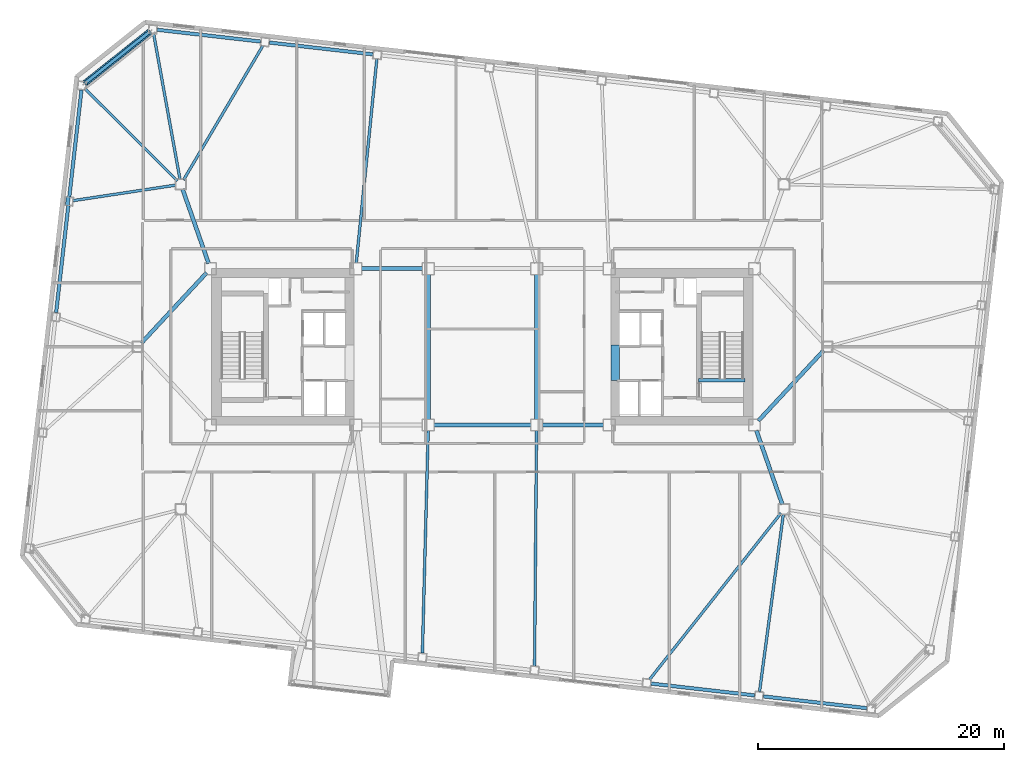
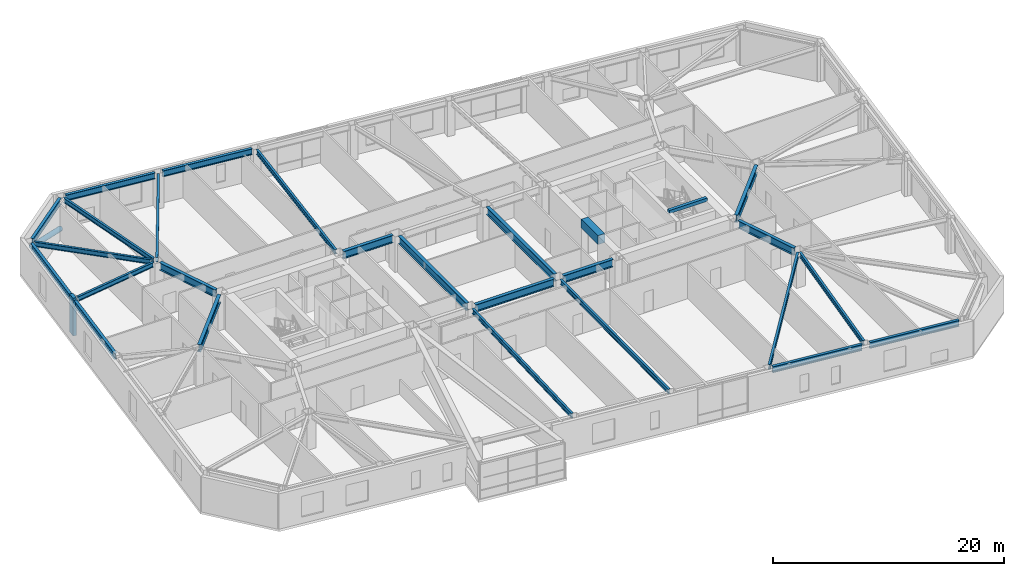
# One storey, part 6 of 22: 27 beams, 2 members.
"""IFC4 building model written with IfcOpenShell, lengths in metres."""

import ifcopenshell
import ifcopenshell.guid

model = None  # the IFC model being written
_history = None  # IfcOwnerHistory: only IFC2X3 demands one
_inside = {}  # id of a spatial element -> (the spatial element, [elements in it])
_under = {}  # id of a project, library or spatial element -> (it, [spatial elements below it])
_declared = {}  # id of a project -> (the project, [libraries it declares])
_typed = {}  # id of a type object -> (the type object, [elements of that type])
_made_of = {}  # id of a material, layer set ... -> (it, [elements and type objects made of it])


def new_model(schema):
    """Start an empty IFC model of exactly this schema.

    Asked for "IFC4X3", IfcOpenShell would pick the latest addendum, in which some entities
    have other attributes; the version numbers below select the first issue.
    IFC2X3 requires an IfcOwnerHistory on every rooted entity: one is made here for all.
    """
    global model, _history
    if schema == "IFC4X3":
        model = ifcopenshell.file(schema_version=(4, 3, 0, 0))
    else:
        model = ifcopenshell.file(schema=schema)
    _inside.clear()
    _under.clear()
    _declared.clear()
    _typed.clear()
    _made_of.clear()
    _history = None
    if model.schema == "IFC2X3":
        org = make("IfcOrganization", Name="unknown")
        user = make(
            "IfcPersonAndOrganization",
            ThePerson=make("IfcPerson", FamilyName="unknown"),
            TheOrganization=org,
        )
        app = make(
            "IfcApplication",
            ApplicationDeveloper=org,
            Version="unknown",
            ApplicationFullName="unknown",
            ApplicationIdentifier="unknown",
        )
        _history = make(
            "IfcOwnerHistory",
            OwningUser=user,
            OwningApplication=app,
            ChangeAction="ADDED",
            CreationDate=0,
        )
    return model


def make(cls, **values):
    """One entity of the class cls with the attributes given. An attribute that is None is left unset."""
    return model.create_entity(
        cls, **{name: value for name, value in values.items() if value is not None}
    )


def rooted(cls, **values):
    """An entity with a GlobalId (a new one), such as an element, a storey or a relation."""
    return make(cls, GlobalId=ifcopenshell.guid.new(), OwnerHistory=_history, **values)


def si_unit(unit_type, name, prefix=None):
    """IfcSIUnit, for example si_unit("LENGTHUNIT", "METRE", prefix="MILLI")."""
    return make("IfcSIUnit", UnitType=unit_type, Prefix=prefix, Name=name)


def assignment(units):
    """IfcUnitAssignment: the units of a project."""
    return None if units is None else make("IfcUnitAssignment", Units=units)


def point(xyz):
    """IfcCartesianPoint."""
    return None if xyz is None else make("IfcCartesianPoint", Coordinates=xyz)


def direction(xyz):
    """IfcDirection."""
    return None if xyz is None else make("IfcDirection", DirectionRatios=xyz)


def frame(location, z_axis=None, x_axis=None):
    """IfcAxis2Placement3D, a coordinate frame: its origin and axes. An axis left out is left unset."""
    return make(
        "IfcAxis2Placement3D",
        Location=point(location),
        Axis=direction(z_axis),
        RefDirection=direction(x_axis),
    )


def frame_2d(location, x_axis=None):
    """IfcAxis2Placement2D, a coordinate frame in the plane: its origin and x axis."""
    return make(
        "IfcAxis2Placement2D", Location=point(location), RefDirection=direction(x_axis)
    )


def origin():
    """The frame at (0, 0, 0) with its axes left unset."""
    return frame((0.0, 0.0, 0.0))


def origin_2d():
    """The frame at (0, 0) in the plane with its x axis left unset."""
    return frame_2d((0.0, 0.0))


def place(relative_to, where):
    """IfcLocalPlacement: puts the frame where relative to a parent placement (None: the world)."""
    return make(
        "IfcLocalPlacement", PlacementRelTo=relative_to, RelativePlacement=where
    )


def context(
    kind, dimensions, precision=None, world=None, true_north=None, identifier=None
):
    """IfcGeometricRepresentationContext, for example the 3D "Model" context."""
    return make(
        "IfcGeometricRepresentationContext",
        ContextIdentifier=identifier,
        ContextType=kind,
        CoordinateSpaceDimension=dimensions,
        Precision=precision,
        WorldCoordinateSystem=world,
        TrueNorth=true_north,
    )


def subcontext(parent, identifier, kind, view, scale=None):
    """IfcGeometricRepresentationSubContext, for example "Body" below "Model"."""
    return make(
        "IfcGeometricRepresentationSubContext",
        ContextIdentifier=identifier,
        ContextType=kind,
        ParentContext=parent,
        TargetScale=scale,
        TargetView=view,
    )


def project(units=None, contexts=None):
    """IfcProject with its units and contexts."""
    return rooted(
        "IfcProject",
        Name="project",
        RepresentationContexts=contexts,
        UnitsInContext=assignment(units),
    )


def spatial(cls, under=None, at=None, **own):
    """A site, building, storey or space (cls), placed at a placement, below another one or the project."""
    s = rooted(cls, ObjectPlacement=at, **own)
    if under is not None:
        _under.setdefault(under.id(), (under, []))[1].append(s)
    return s


def profile(cls, at=None, kind="AREA", **sizes):
    """A parametric profile (cls). Its sizes go by their IFC names, for example OverallWidth=200.0."""
    return make(cls, ProfileType=kind, Position=at, **sizes)


def rectangle(**sizes):
    """IfcRectangleProfileDef."""
    return profile("IfcRectangleProfileDef", **sizes)


def hollow_circle(**sizes):
    """IfcCircleHollowProfileDef."""
    return profile("IfcCircleHollowProfileDef", **sizes)


def i_section(**sizes):
    """IfcIShapeProfileDef."""
    return profile("IfcIShapeProfileDef", **sizes)


def extrude(swept, where, along, depth):
    """IfcExtrudedAreaSolid: the profile swept, set in the frame where, extruded along a direction by depth."""
    return make(
        "IfcExtrudedAreaSolid",
        SweptArea=swept,
        Position=where,
        ExtrudedDirection=direction(along),
        Depth=depth,
    )


def shape(context_of_items, identifier, shape_type, items):
    """IfcShapeRepresentation: the items that make up one representation, for example the "Body"."""
    return make(
        "IfcShapeRepresentation",
        ContextOfItems=context_of_items,
        RepresentationIdentifier=identifier,
        RepresentationType=shape_type,
        Items=items,
    )


def material(Name=None, Category=None):
    """IfcMaterial."""
    return make("IfcMaterial", Name=Name, Category=Category)


def material_profile(
    of_material, cross_section, Name=None, Category=None, Priority=None
):
    """IfcMaterialProfile: a cross section and its material."""
    return make(
        "IfcMaterialProfile",
        Name=Name,
        Material=of_material,
        Profile=cross_section,
        Priority=Priority,
        Category=Category,
    )


def profile_set(profiles, Name=None, composite=None):
    """IfcMaterialProfileSet."""
    return make(
        "IfcMaterialProfileSet",
        Name=Name,
        MaterialProfiles=profiles,
        CompositeProfile=composite,
    )


def made_of(thing, what):
    """Note that an element or type object is made of a material, layer set ...; save() writes the relation."""
    if what is not None:
        _made_of.setdefault(what.id(), (what, []))[1].append(thing)
    return thing


def type_object(cls, material=None, **own):
    """A type object (cls), such as IfcWallType, which elements share."""
    return made_of(rooted(cls, **own), material)


def element(
    cls,
    number,
    at=None,
    inside=None,
    cuts=None,
    type_object=None,
    material=None,
    context=None,
    identifier="Body",
    shape_type=None,
    held_by="IfcProductDefinitionShape",
    body=None,
    shapes=None,
    **own,
):
    """One element of the class cls, such as IfcWall. Its Tag is "e" and its number.

    at: its placement. inside: the storey or other place that contains it. cuts: it is an
    opening in that element (IfcRelVoidsElement). A single representation is given by context,
    identifier, shape_type and body (its items); several are given by shapes. held_by: the class
    of the entity that holds the representations. save() writes the other relations.
    """
    e = rooted(cls, Tag="e%d" % number, ObjectPlacement=at, **own)
    if body is not None:
        shapes = [shape(context, identifier, shape_type, body)]
    if shapes is not None:
        e.Representation = make(held_by, Representations=shapes)
    if inside is not None:
        _inside.setdefault(inside.id(), (inside, []))[1].append(e)
    if cuts is not None:
        rooted(
            "IfcRelVoidsElement", RelatingBuildingElement=cuts, RelatedOpeningElement=e
        )
    if type_object is not None:
        _typed.setdefault(type_object.id(), (type_object, []))[1].append(e)
    return made_of(e, material)


def aggregate(whole, parts):
    """IfcRelAggregates: a whole, such as a stair, and the parts it consists of."""
    return rooted("IfcRelAggregates", RelatingObject=whole, RelatedObjects=parts)


def save(model, path):
    """Write the relations noted so far, then the file.

    IfcRelAggregates (storeys below a building ...), IfcRelContainedInSpatialStructure (elements
    in a storey), IfcRelDefinesByType, IfcRelAssociatesMaterial and IfcRelDeclares: one each for
    every whole, place, type object, material and project.
    """
    for whole, parts in _under.values():
        aggregate(whole, parts)
    for where, things in _inside.values():
        rooted(
            "IfcRelContainedInSpatialStructure",
            RelatedElements=things,
            RelatingStructure=where,
        )
    for kind, things in _typed.values():
        rooted("IfcRelDefinesByType", RelatedObjects=things, RelatingType=kind)
    for what, things in _made_of.values():
        rooted("IfcRelAssociatesMaterial", RelatedObjects=things, RelatingMaterial=what)
    for by, libraries in _declared.values():
        rooted("IfcRelDeclares", RelatingContext=by, RelatedDefinitions=libraries)
    model.write(path)


model = new_model("IFC4")

# Units and contexts
model_context = context("Model", 3, precision=1e-05, world=origin(), true_north=direction((0.0, 1.0)))
body_context = subcontext(model_context, "Body", "Model", "MODEL_VIEW")
ifc_project = project(units=[si_unit("LENGTHUNIT", "METRE"), si_unit("AREAUNIT", "SQUARE_METRE"), si_unit("VOLUMEUNIT", "CUBIC_METRE"), si_unit("PLANEANGLEUNIT", "RADIAN"), si_unit("MASSUNIT", "GRAM", prefix="KILO")], contexts=[model_context])

# Site, building, storey
site_placement = place(None, origin())
site = spatial("IfcSite", under=ifc_project, at=site_placement, CompositionType="ELEMENT")
building_placement = place(site_placement, origin())
building = spatial("IfcBuilding", under=site, at=building_placement, Name="Tavrogorsk Clinical Tower", CompositionType="ELEMENT")
storey_placement = place(building_placement, frame((0.0, 0.0, 93.39990234375)))
storey = spatial("IfcBuildingStorey", under=building, at=storey_placement, Name="L20", CompositionType="ELEMENT", Elevation=93.39990234375)

# Beam
ifc_material_1 = material(Name="Concrete B80", Category="concrete")
ifc_material_profile_1 = material_profile(ifc_material_1, rectangle(XDim=0.699951171875, YDim=0.949951171875, at=origin_2d()), Name="RC-CB-700x950")
ifc_profile_set_1 = profile_set([ifc_material_profile_1], Name="Concrete B80")
beam_type_1 = type_object("IfcBeamType", Name="CouplingBeam_RC700x950", PredefinedType="LINTEL", material=ifc_profile_set_1)
beam_1_placement = place(storey_placement, frame((10.800048828125, -2.75, 3.26513671875), z_axis=(0.0, 1.0, 0.0), x_axis=(-1.0, 0.0, 0.0)))
element("IfcBeam", 1, at=beam_1_placement, inside=storey, type_object=beam_type_1, Name="L20 Core East Coupling Beam", PredefinedType="LINTEL", context=body_context, shape_type="SweptSolid", body=[
    extrude(rectangle(XDim=0.699951171875, YDim=0.949951171875, at=origin_2d()), origin(), (0.0, 0.0, 1.0), 2.89990234375),
])

# Member
ifc_material_2 = material(Name="Structural steel S440", Category="steel")
ifc_material_profile_2 = material_profile(ifc_material_2, hollow_circle(Radius=0.25390625, WallThickness=0.02001953125, at=origin_2d()), Name="CHS-508x20")
ifc_profile_set_2 = profile_set([ifc_material_profile_2], Name="Structural steel S440")
member_type_1 = type_object("IfcMemberType", Name="ExoBrace_CHS508", PredefinedType="BRACE", material=ifc_profile_set_2)
member_1_placement = place(storey_placement, frame((-27.045654296875, 25.592041015625, 0.425048828125), z_axis=(-0.73336936718, -0.583326985798, 0.349140371371), x_axis=(0.622500682662, -0.782619256143, 0.0)))
element("IfcMember", 2, at=member_1_placement, inside=storey, type_object=member_type_1, Name="L20 Corner Exoskeleton Brace N8-W1", PredefinedType="BRACE", context=body_context, shape_type="SweptSolid", body=[
    extrude(hollow_circle(Radius=0.25390625, WallThickness=0.02001953125, at=origin_2d()), origin(), (0.0, 0.0, 1.0), 7.1318359375),
])

# Beams
ifc_material_3 = material(Name="Structural steel S355", Category="steel")
ifc_material_profile_3 = material_profile(ifc_material_3, i_section(OverallWidth=0.219970703125, OverallDepth=0.5, WebThickness=0.012939453125, FlangeThickness=0.02001953125, at=origin_2d()), Name="B-500x220x13x20")
ifc_profile_set_3 = profile_set([ifc_material_profile_3], Name="Structural steel S355")
beam_type_2 = type_object("IfcBeamType", Name="FloorBeam_B500", PredefinedType="BEAM", material=ifc_profile_set_3)
beam_2_placement = place(storey_placement, frame((-4.411865234375, -6.809814453125, 3.489990234375), z_axis=(-0.025907273598, -0.999664350257, 0.0), x_axis=(0.999664350257, -0.025907273598, 0.0)))
element("IfcBeam", 3, at=beam_2_placement, inside=storey, type_object=beam_type_2, Name="L20 Radial Floor Beam S4", PredefinedType="BEAM", context=body_context, shape_type="SweptSolid", body=[
    extrude(i_section(OverallWidth=0.219970703125, OverallDepth=0.5, WebThickness=0.012939453125, FlangeThickness=0.02001953125, at=origin_2d()), origin(), (0.0, 0.0, 1.0), 18.083984375),
])
beam_3_placement = place(storey_placement, frame((4.39599609375, -6.81005859375, 3.489990234375), z_axis=(-0.00859471964, -0.999963064715, 0.0), x_axis=(0.999963064715, -0.00859471964, 0.0)))
element("IfcBeam", 4, at=beam_3_placement, inside=storey, type_object=beam_type_2, Name="L20 Radial Floor Beam S5", PredefinedType="BEAM", context=body_context, shape_type="SweptSolid", body=[
    extrude(i_section(OverallWidth=0.219970703125, OverallDepth=0.5, WebThickness=0.012939453125, FlangeThickness=0.02001953125, at=origin_2d()), origin(), (0.0, 0.0, 1.0), 19.1171875),
])
beam_4_placement = place(storey_placement, frame((24.245849609375, -13.521728515625, 3.489990234375), z_axis=(-0.619757312108, -0.784793523221, 0.0), x_axis=(0.784793523221, -0.619757312108, 0.0)))
element("IfcBeam", 5, at=beam_4_placement, inside=storey, type_object=beam_type_2, Name="L20 Radial Floor Beam S6", PredefinedType="BEAM", context=body_context, shape_type="SweptSolid", body=[
    extrude(i_section(OverallWidth=0.219970703125, OverallDepth=0.5, WebThickness=0.012939453125, FlangeThickness=0.02001953125, at=origin_2d()), origin(), (0.0, 0.0, 1.0), 17.22802734375),
])
beam_5_placement = place(storey_placement, frame((24.445556640625, -13.6064453125, 3.489990234375), z_axis=(-0.133025440596, -0.991112623345, 0.0), x_axis=(0.991112623345, -0.133025440596, 0.0)))
element("IfcBeam", 6, at=beam_5_placement, inside=storey, type_object=beam_type_2, Name="L20 Radial Floor Beam S7", PredefinedType="BEAM", context=body_context, shape_type="SweptSolid", body=[
    extrude(i_section(OverallWidth=0.219970703125, OverallDepth=0.5, WebThickness=0.012939453125, FlangeThickness=0.02001953125, at=origin_2d()), origin(), (0.0, 0.0, 1.0), 14.530029296875),
])
beam_6_placement = place(storey_placement, frame((-10.25390625, 6.8076171875, 3.489990234375), z_axis=(0.100407035617, 0.994946444387, 0.0), x_axis=(-0.994946444387, 0.100407035617, 0.0)))
element("IfcBeam", 7, at=beam_6_placement, inside=storey, type_object=beam_type_2, Name="L20 Radial Floor Beam N6", PredefinedType="BEAM", context=body_context, shape_type="SweptSolid", body=[
    extrude(i_section(OverallWidth=0.219970703125, OverallDepth=0.5, WebThickness=0.012939453125, FlangeThickness=0.02001953125, at=origin_2d()), origin(), (0.0, 0.0, 1.0), 16.643798828125),
])
beam_7_placement = place(storey_placement, frame((-24.291259765625, 13.552978515625, 3.489990234375), z_axis=(0.508876748392, 0.86083938975, 0.0), x_axis=(-0.86083938975, 0.508876748392, 0.0)))
element("IfcBeam", 8, at=beam_7_placement, inside=storey, type_object=beam_type_2, Name="L20 Radial Floor Beam N7", PredefinedType="BEAM", context=body_context, shape_type="SweptSolid", body=[
    extrude(i_section(OverallWidth=0.219970703125, OverallDepth=0.5, WebThickness=0.012939453125, FlangeThickness=0.02001953125, at=origin_2d()), origin(), (0.0, 0.0, 1.0), 12.663330078125),
])
beam_8_placement = place(storey_placement, frame((-24.572998046875, 13.603515625, 3.489990234375), z_axis=(-0.178287530482, 0.983978432932, 0.0), x_axis=(-0.983978432932, -0.178287530482, 0.0)))
element("IfcBeam", 9, at=beam_8_placement, inside=storey, type_object=beam_type_2, Name="L20 Radial Floor Beam N8", PredefinedType="BEAM", context=body_context, shape_type="SweptSolid", body=[
    extrude(i_section(OverallWidth=0.219970703125, OverallDepth=0.5, WebThickness=0.012939453125, FlangeThickness=0.02001953125, at=origin_2d()), origin(), (0.0, 0.0, 1.0), 12.0380859375),
])
beam_9_placement = place(storey_placement, frame((-24.790283203125, 13.48974609375, 3.489990234375), z_axis=(-0.707775090959, 0.706437839175, 0.0), x_axis=(-0.706437839175, -0.707775090959, 0.0)))
element("IfcBeam", 10, at=beam_9_placement, inside=storey, type_object=beam_type_2, Name="L20 Radial Floor Beam W1", PredefinedType="BEAM", context=body_context, shape_type="SweptSolid", body=[
    extrude(i_section(OverallWidth=0.219970703125, OverallDepth=0.5, WebThickness=0.012939453125, FlangeThickness=0.02001953125, at=origin_2d()), origin(), (0.0, 0.0, 1.0), 10.589111328125),
])
beam_10_placement = place(storey_placement, frame((-24.905517578125, 13.138671875, 3.489990234375), z_axis=(-0.98878314082, -0.149358295482, 0.0), x_axis=(0.149358295482, -0.98878314082, 0.0)))
element("IfcBeam", 11, at=beam_10_placement, inside=storey, type_object=beam_type_2, Name="L20 Radial Floor Beam W2", PredefinedType="BEAM", context=body_context, shape_type="SweptSolid", body=[
    extrude(i_section(OverallWidth=0.219970703125, OverallDepth=0.5, WebThickness=0.012939453125, FlangeThickness=0.02001953125, at=origin_2d()), origin(), (0.0, 0.0, 1.0), 8.4443359375),
])

# Member
ifc_material_4 = material(Name="Precast concrete B45 with limestone cladding", Category="masonry")
ifc_material_profile_4 = material_profile(ifc_material_4, rectangle(XDim=0.320068359375, YDim=0.719970703125, at=origin_2d()), Name="LIMESTONE-FIN-320x720")
ifc_profile_set_4 = profile_set([ifc_material_profile_4], Name="Precast concrete B45 with limestone cladding")
member_type_2 = type_object("IfcMemberType", Name="LimestonePleatFin_320x720", PredefinedType="USERDEFINED", material=ifc_profile_set_4)
member_2_placement = place(storey_placement, frame((-33.688720703125, 11.8330078125, 0.0), z_axis=(0.0, 0.0, 1.0), x_axis=(0.993571855677, -0.113203213768, 0.0)))
element("IfcMember", 12, at=member_2_placement, inside=storey, type_object=member_type_2, Name="L20 W Pleated Stone Fin 1", ObjectType="FIN", PredefinedType="USERDEFINED", context=body_context, shape_type="SweptSolid", body=[
    extrude(rectangle(XDim=0.320068359375, YDim=0.719970703125, at=origin_2d()), origin(), (0.0, 0.0, 1.0), 4.0),
])

# Beams
ifc_material_5 = material(Name="Structural steel S390", Category="steel")
ifc_material_profile_5 = material_profile(ifc_material_5, i_section(OverallWidth=0.320068359375, OverallDepth=0.800048828125, WebThickness=0.02001953125, FlangeThickness=0.033935546875, at=origin_2d()), Name="B-800x320x20x34")
ifc_profile_set_5 = profile_set([ifc_material_profile_5], Name="Structural steel S390")
beam_type_3 = type_object("IfcBeamType", Name="PrimaryGirder_B800", PredefinedType="USERDEFINED", material=ifc_profile_set_5)
beam_11_placement = place(storey_placement, frame((-9.840087890625, 6.35009765625, 3.340087890625), z_axis=(1.0, 0.0, 0.0), x_axis=(0.0, 1.0, 0.0)))
element("IfcBeam", 13, at=beam_11_placement, inside=storey, type_object=beam_type_3, Name="L20 Primary Spine Girder MG-02", ObjectType="GIRDER", PredefinedType="USERDEFINED", context=body_context, shape_type="SweptSolid", body=[
    extrude(i_section(OverallWidth=0.320068359375, OverallDepth=0.800048828125, WebThickness=0.02001953125, FlangeThickness=0.033935546875, at=origin_2d()), origin(), (0.0, 0.0, 1.0), 4.97998046875),
])
beam_12_placement = place(storey_placement, frame((-3.93994140625, -6.35009765625, 3.340087890625), z_axis=(1.0, 0.0, 0.0), x_axis=(0.0, 1.0, 0.0)))
element("IfcBeam", 14, at=beam_12_placement, inside=storey, type_object=beam_type_3, Name="L20 Primary Spine Girder MG-03", ObjectType="GIRDER", PredefinedType="USERDEFINED", context=body_context, shape_type="SweptSolid", body=[
    extrude(i_section(OverallWidth=0.320068359375, OverallDepth=0.800048828125, WebThickness=0.02001953125, FlangeThickness=0.033935546875, at=origin_2d()), origin(), (0.0, 0.0, 1.0), 7.8798828125),
])
beam_13_placement = place(storey_placement, frame((4.860107421875, -6.35009765625, 3.340087890625), z_axis=(1.0, 0.0, 0.0), x_axis=(0.0, 1.0, 0.0)))
element("IfcBeam", 15, at=beam_13_placement, inside=storey, type_object=beam_type_3, Name="L20 Primary Spine Girder MG-05", ObjectType="GIRDER", PredefinedType="USERDEFINED", context=body_context, shape_type="SweptSolid", body=[
    extrude(i_section(OverallWidth=0.320068359375, OverallDepth=0.800048828125, WebThickness=0.02001953125, FlangeThickness=0.033935546875, at=origin_2d()), origin(), (0.0, 0.0, 1.0), 4.97998046875),
])
for number, where, z_axis, x_axis, name in (
    (16, (-4.39990234375, -5.889892578125, 3.340087890625), (0.0, 1.0, 0.0), (-1.0, 0.0, 0.0), "L20 Primary Spine Girder MG-07"),
    (17, (4.39990234375, -5.889892578125, 3.340087890625), (0.0, 1.0, 0.0), (-1.0, 0.0, 0.0), "L20 Primary Spine Girder MG-08"),
):
    element("IfcBeam", number, at=place(storey_placement, frame(where, z_axis=z_axis, x_axis=x_axis)), inside=storey, type_object=beam_type_3, Name=name, ObjectType="GIRDER", PredefinedType="USERDEFINED", context=body_context, shape_type="SweptSolid", body=[
        extrude(i_section(OverallWidth=0.320068359375, OverallDepth=0.800048828125, WebThickness=0.02001953125, FlangeThickness=0.033935546875, at=origin_2d()), origin(), (0.0, 0.0, 1.0), 11.77978515625),
    ])
for number, where, z_axis, x_axis, name in (
    (18, (24.364501953125, -12.81298828125, 3.340087890625), (-0.330660234815, 0.943749865755, 0.0), (-0.943749865755, -0.330660234815, 0.0), "L20 Spine Link Girder OPG-2"),
    (19, (-24.364501953125, 12.81298828125, 3.340087890625), (0.330660234815, -0.943749865755, 0.0), (0.943749865755, 0.330660234815, 0.0), "L20 Spine Link Girder OPG-3"),
):
    element("IfcBeam", number, at=place(storey_placement, frame(where, z_axis=z_axis, x_axis=x_axis)), inside=storey, type_object=beam_type_3, Name=name, ObjectType="GIRDER", PredefinedType="USERDEFINED", context=body_context, shape_type="SweptSolid", body=[
        extrude(i_section(OverallWidth=0.320068359375, OverallDepth=0.800048828125, WebThickness=0.02001953125, FlangeThickness=0.033935546875, at=origin_2d()), origin(), (0.0, 0.0, 1.0), 6.38818359375),
    ])
for number, where, z_axis, x_axis, name in (
    (20, (-27.720947265625, 0.30029296875, 3.340087890625), (0.680675630035, 0.732584934787, 0.0), (-0.732584934787, 0.680675630035, 0.0), "L20 Spine Link Girder OPG-6"),
    (21, (27.720947265625, -0.30029296875, 3.340087890625), (-0.680675630035, -0.732584934787, 0.0), (0.732584934787, -0.680675630035, 0.0), "L20 Spine Link Girder OPG-7"),
):
    element("IfcBeam", number, at=place(storey_placement, frame(where, z_axis=z_axis, x_axis=x_axis)), inside=storey, type_object=beam_type_3, Name=name, ObjectType="GIRDER", PredefinedType="USERDEFINED", context=body_context, shape_type="SweptSolid", body=[
        extrude(i_section(OverallWidth=0.320068359375, OverallDepth=0.800048828125, WebThickness=0.02001953125, FlangeThickness=0.033935546875, at=origin_2d()), origin(), (0.0, 0.0, 1.0), 7.7978515625),
    ])
ifc_material_6 = material(Name="Structural steel S390", Category="steel")
ifc_material_profile_6 = material_profile(ifc_material_6, i_section(OverallWidth=0.280029296875, OverallDepth=0.64990234375, WebThickness=0.01611328125, FlangeThickness=0.02490234375, at=origin_2d()), Name="B-650x280x16x25")
ifc_profile_set_6 = profile_set([ifc_material_profile_6], Name="Structural steel S390")
beam_type_4 = type_object("IfcBeamType", Name="SpandrelBeam_B650", PredefinedType="SPANDREL", material=ifc_profile_set_6)
beam_14_placement = place(storey_placement, frame((13.702392578125, -27.36376953125, 3.4150390625), z_axis=(0.993569819641, -0.113221082395, 0.0), x_axis=(0.113221082395, 0.993569819641, 0.0)))
element("IfcBeam", 22, at=beam_14_placement, inside=storey, type_object=beam_type_4, Name="L20 Perimeter Spandrel S6-S7", PredefinedType="SPANDREL", context=body_context, shape_type="SweptSolid", body=[
    extrude(i_section(OverallWidth=0.280029296875, OverallDepth=0.64990234375, WebThickness=0.01611328125, FlangeThickness=0.02490234375, at=origin_2d()), origin(), (0.0, 0.0, 1.0), 8.46142578125),
])
beam_15_placement = place(storey_placement, frame((22.82080078125, -28.40283203125, 3.4150390625), z_axis=(0.99357232562, -0.113199089054, 0.0), x_axis=(0.113199089054, 0.99357232562, 0.0)))
element("IfcBeam", 23, at=beam_15_placement, inside=storey, type_object=beam_type_4, Name="L20 Perimeter Spandrel S7-S8", PredefinedType="SPANDREL", context=body_context, shape_type="SweptSolid", body=[
    extrude(i_section(OverallWidth=0.280029296875, OverallDepth=0.64990234375, WebThickness=0.01611328125, FlangeThickness=0.02490234375, at=origin_2d()), origin(), (0.0, 0.0, 1.0), 8.4609375),
])
for number, where, z_axis, x_axis, name in (
    (24, (-8.902587890625, 23.763916015625, 3.4150390625), (-0.993572695356, 0.113195843756, 0.0), (-0.113195843756, -0.993572695356, 0.0), "L20 Perimeter Spandrel N6-N7"),
    (25, (-18.020751953125, 24.802734375, 3.4150390625), (-0.993572695356, 0.113195843756, 0.0), (-0.113195843756, -0.993572695356, 0.0), "L20 Perimeter Spandrel N7-N8"),
):
    element("IfcBeam", number, at=place(storey_placement, frame(where, z_axis=z_axis, x_axis=x_axis)), inside=storey, type_object=beam_type_4, Name=name, PredefinedType="SPANDREL", context=body_context, shape_type="SweptSolid", body=[
        extrude(i_section(OverallWidth=0.280029296875, OverallDepth=0.64990234375, WebThickness=0.01611328125, FlangeThickness=0.02490234375, at=origin_2d()), origin(), (0.0, 0.0, 1.0), 8.461181640625),
    ])
beam_16_placement = place(storey_placement, frame((-27.063232421875, 25.578125, 3.4150390625), z_axis=(-0.782613271493, -0.622508206599, 0.0), x_axis=(0.622508206599, -0.782613271493, 0.0)))
element("IfcBeam", 26, at=beam_16_placement, inside=storey, type_object=beam_type_4, Name="L20 Perimeter Spandrel N8-W1", PredefinedType="SPANDREL", context=body_context, shape_type="SweptSolid", body=[
    extrude(i_section(OverallWidth=0.280029296875, OverallDepth=0.64990234375, WebThickness=0.01611328125, FlangeThickness=0.02490234375, at=origin_2d()), origin(), (0.0, 0.0, 1.0), 6.6376953125),
])
for number, where, z_axis, x_axis, name in (
    (27, (-32.578857421875, 20.867431640625, 3.4150390625), (-0.113192226434, -0.993573107464, 0.0), (0.993573107464, -0.113192226434, 0.0), "L20 Perimeter Spandrel W1-W2"),
    (28, (-33.649658203125, 11.46826171875, 3.4150390625), (-0.113219789686, -0.993569966949, 0.0), (0.993569966949, -0.113219789686, 0.0), "L20 Perimeter Spandrel W2-W3"),
):
    element("IfcBeam", number, at=place(storey_placement, frame(where, z_axis=z_axis, x_axis=x_axis)), inside=storey, type_object=beam_type_4, Name=name, PredefinedType="SPANDREL", context=body_context, shape_type="SweptSolid", body=[
        extrude(i_section(OverallWidth=0.280029296875, OverallDepth=0.64990234375, WebThickness=0.01611328125, FlangeThickness=0.02490234375, at=origin_2d()), origin(), (0.0, 0.0, 1.0), 8.743896484375),
    ])
ifc_material_7 = material(Name="Concrete B60", Category="concrete")
ifc_material_profile_7 = material_profile(ifc_material_7, rectangle(XDim=0.300048828125, YDim=0.35009765625, at=origin_2d()), Name="RC-SHB-300x350")
ifc_profile_set_7 = profile_set([ifc_material_profile_7], Name="Concrete B60")
beam_type_5 = type_object("IfcBeamType", Name="StairHeaderBeam_RC300x350", PredefinedType="BEAM", material=ifc_profile_set_7)
beam_17_placement = place(storey_placement, frame((17.550048828125, -2.719970703125, 3.8251953125), z_axis=(1.0, 0.0, 0.0), x_axis=(0.0, 1.0, 0.0)))
element("IfcBeam", 29, at=beam_17_placement, inside=storey, type_object=beam_type_5, Name="L21 ST-E Landing Header Beam", PredefinedType="BEAM", context=body_context, shape_type="SweptSolid", body=[
    extrude(rectangle(XDim=0.300048828125, YDim=0.35009765625, at=origin_2d()), origin(), (0.0, 0.0, 1.0), 3.800048828125),
])

save(model, "model.ifc")
